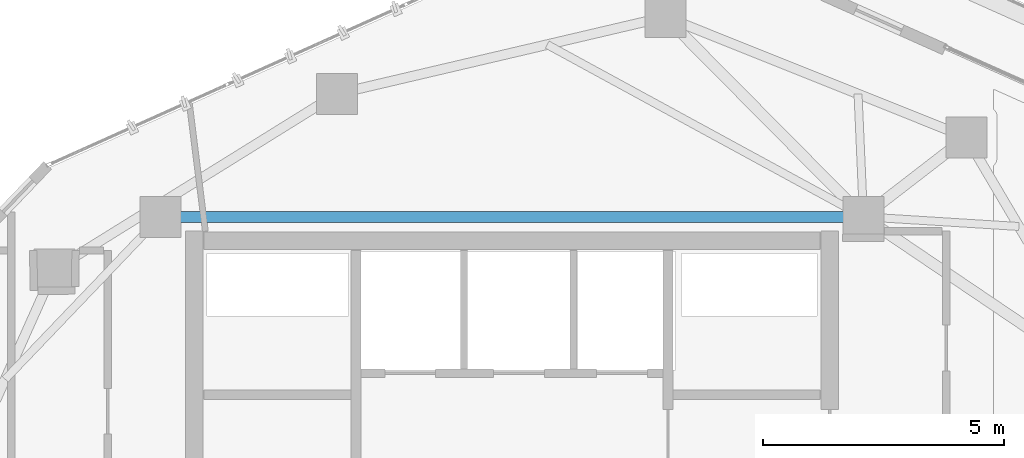
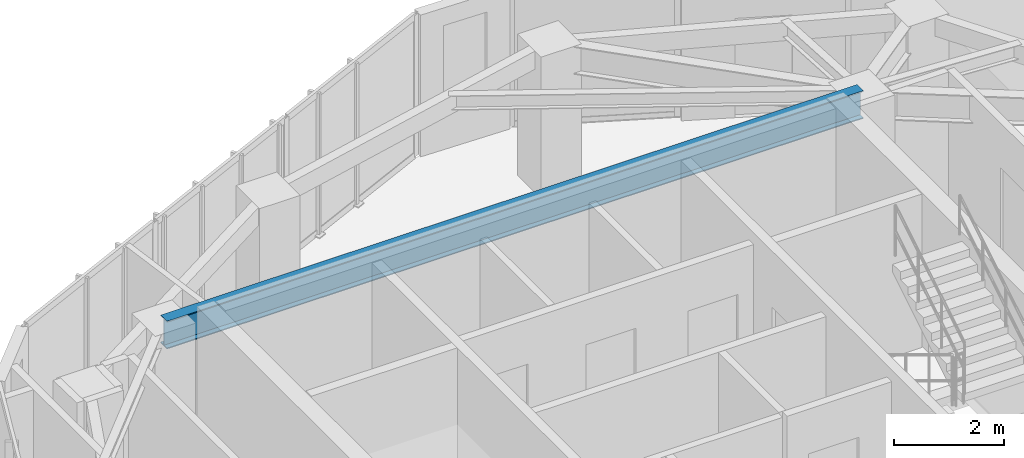
# One storey, part 9 of 21: 1 beam.
"""IFC4 building model written with IfcOpenShell, lengths in metres."""

from ifc_helpers import new_model, si_unit, direction, frame, origin, origin_2d, place, context, subcontext, project, spatial, i_section, extrude, material, material_profile, profile_set, type_object, element, save


model = new_model("IFC4")

# Units and contexts
model_context = context("Model", 3, precision=1e-05, world=origin(), true_north=direction((0.0, 1.0)))
body_context = subcontext(model_context, "Body", "Model", "MODEL_VIEW")
ifc_project = project(units=[si_unit("LENGTHUNIT", "METRE"), si_unit("AREAUNIT", "SQUARE_METRE"), si_unit("VOLUMEUNIT", "CUBIC_METRE"), si_unit("PLANEANGLEUNIT", "RADIAN"), si_unit("MASSUNIT", "GRAM", prefix="KILO")], contexts=[model_context])

# Site, building, storey
site_placement = place(None, origin())
site = spatial("IfcSite", under=ifc_project, at=site_placement, CompositionType="ELEMENT")
building_placement = place(site_placement, origin())
building = spatial("IfcBuilding", under=site, at=building_placement, Name="Talar Marvaseh", CompositionType="ELEMENT")
storey_placement = place(building_placement, frame((0.0, 0.0, 271.39990234375)))
storey = spatial("IfcBuildingStorey", under=building, at=storey_placement, Name="L72", CompositionType="ELEMENT", Elevation=271.39990234375)

# Beam
ifc_material = material(Name="Steel S355", Category="steel")
ifc_material_profile = material_profile(ifc_material, i_section(OverallWidth=0.22998046875, OverallDepth=0.616943359375, WebThickness=0.01318359375, FlangeThickness=0.022216796875, at=origin_2d()), Name="W610x140")
ifc_profile_set = profile_set([ifc_material_profile], Name="Steel S355")
beam_type = type_object("IfcBeamType", Name="Zone 4 Radial Floor Girder W610x140", PredefinedType="BEAM", material=ifc_profile_set)
beam_placement = place(storey_placement, frame((18.699951171875, 36.89990234375, 2.83154296875), z_axis=(1.0, 0.0, 0.0), x_axis=(0.0, 1.0, 0.0)))
element("IfcBeam", 1, at=beam_placement, inside=storey, type_object=beam_type, Name="L72 Zone 4 Radial Floor Girder W610x140", PredefinedType="BEAM", context=body_context, shape_type="SweptSolid", body=[
    extrude(i_section(OverallWidth=0.22998046875, OverallDepth=0.616943359375, WebThickness=0.01318359375, FlangeThickness=0.022216796875, at=origin_2d()), origin(), (0.0, 0.0, 1.0), 14.60009765625),
])

save(model, "model.ifc")
